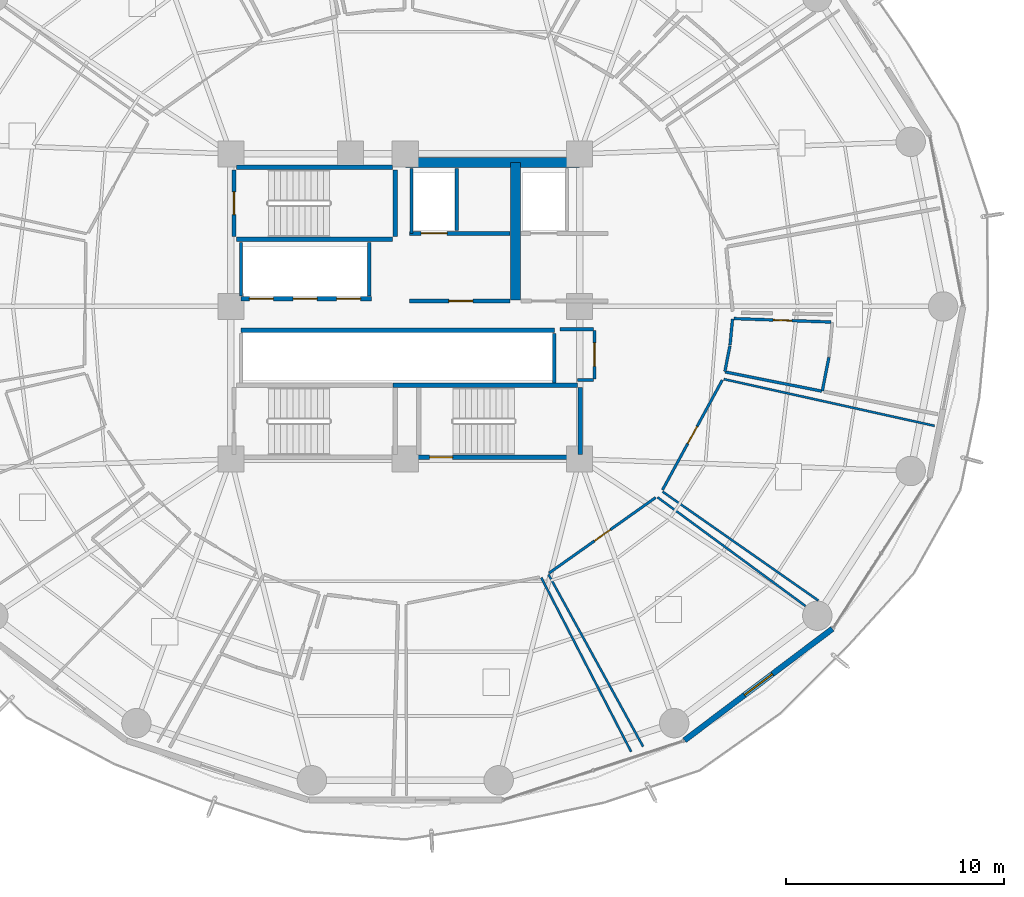
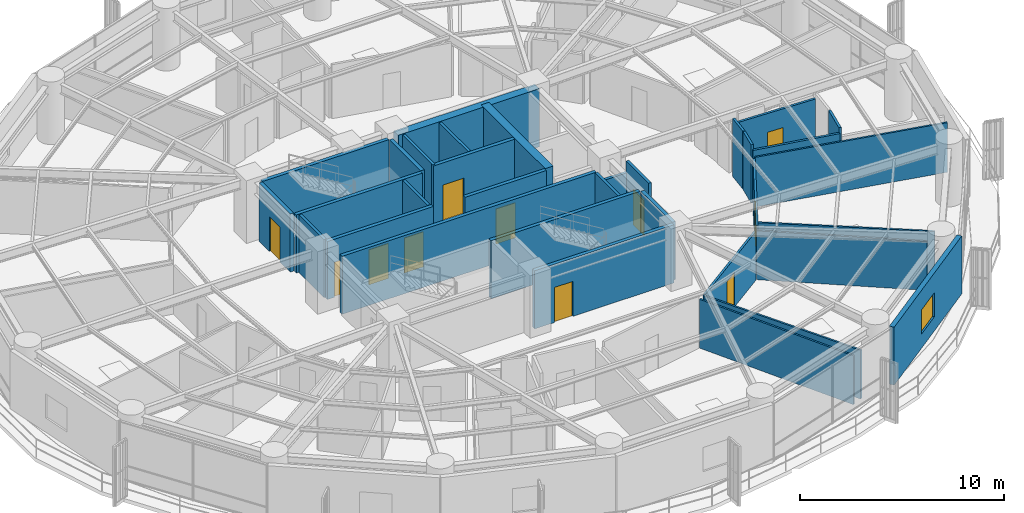
# One storey, part 30 of 35: 34 walls, 11 doors, 1 window, 12 openings.
"""IFC4 building model written with IfcOpenShell, lengths in metres."""

from ifc_helpers import new_model, si_unit, direction, frame, frame_2d, origin, place, context, subcontext, project, spatial, rectangle, extrude, material, layer, layer_set, type_object, element, fill, save


model = new_model("IFC4")

# Units and contexts
model_context = context("Model", 3, precision=1e-05, world=origin(), true_north=direction((0.0, 1.0)))
body_context = subcontext(model_context, "Body", "Model", "MODEL_VIEW")
ifc_project = project(units=[si_unit("LENGTHUNIT", "METRE"), si_unit("AREAUNIT", "SQUARE_METRE"), si_unit("VOLUMEUNIT", "CUBIC_METRE"), si_unit("PLANEANGLEUNIT", "RADIAN"), si_unit("MASSUNIT", "GRAM", prefix="KILO")], contexts=[model_context])

# Site, building, storey
site_placement = place(None, origin())
site = spatial("IfcSite", under=ifc_project, at=site_placement, CompositionType="ELEMENT")
building_placement = place(site_placement, origin())
building = spatial("IfcBuilding", under=site, at=building_placement, Name="Kelanora Arch Commons", CompositionType="ELEMENT")
storey_placement = place(building_placement, frame((0.0, 0.0, 117.60009765625)))
storey = spatial("IfcBuildingStorey", under=building, at=storey_placement, Name="L30", CompositionType="ELEMENT", Elevation=117.60009765625)

# Walls
ifc_material_1 = material(Name="Autoclaved aerated concrete blockwork with fire plaster", Category="masonry")
ifc_layer_1 = layer(ifc_material_1, 0.14990234375)
ifc_layer_set_1 = layer_set([ifc_layer_1], Name="Autoclaved aerated concrete blockwork with fire plaster")
wall_type_1 = type_object("IfcWallType", Name="W-COMP-150", PredefinedType="PARTITIONING", material=ifc_layer_set_1)
wall_1_placement = place(storey_placement, frame((74.280029296875, 61.35009765625, 0.0), z_axis=(0.0, 0.0, 1.0), x_axis=(0.0, 1.0, 0.0)))
element("IfcWall", 1, at=wall_1_placement, inside=storey, type_object=wall_type_1, Name="Firefighting Lift 1 West Shaft Wall L30", PredefinedType="PARTITIONING", context=body_context, shape_type="SweptSolid", body=[
    extrude(rectangle(XDim=2.969970703125, YDim=0.14990234375, at=frame_2d((1.48486328125, 0.0))), origin(), (0.0, 0.0, 1.0), 3.47998046875),
])
wall_2_placement = place(storey_placement, frame((76.360107421875, 61.47998046875, 0.0), z_axis=(0.0, 0.0, 1.0), x_axis=(0.0, 1.0, 0.0)))
element("IfcWall", 2, at=wall_2_placement, inside=storey, type_object=wall_type_1, Name="Firefighting Lift 1 East Shaft Wall L30", PredefinedType="PARTITIONING", context=body_context, shape_type="SweptSolid", body=[
    extrude(rectangle(XDim=2.840087890625, YDim=0.14990234375, at=frame_2d((1.419921875, 0.0))), origin(), (0.0, 0.0, 1.0), 3.47998046875),
])
for number, where, z_axis, x_axis, name in (
    (3, (66.4599609375, 58.47998046875, 0.0), (0.0, 0.0, 1.0), (0.0, 1.0, 0.0), "Low-Rise Lift Bank West Wall L30"),
    (4, (72.340087890625, 58.47998046875, 0.0), (0.0, 0.0, 1.0), (0.0, 1.0, 0.0), "Low-Rise Lift Bank East Wall L30"),
):
    element("IfcWall", number, at=place(storey_placement, frame(where, z_axis=z_axis, x_axis=x_axis)), inside=storey, type_object=wall_type_1, Name=name, PredefinedType="PARTITIONING", context=body_context, shape_type="SweptSolid", body=[
        extrude(rectangle(XDim=2.4599609375, YDim=0.14990234375, at=frame_2d((1.22998046875, 0.0))), origin(), (0.0, 0.0, 1.0), 3.47998046875),
    ])
wall_3_placement = place(storey_placement, frame((80.840087890625, 54.47998046875, 0.0), z_axis=(0.0, 0.0, 1.0), x_axis=(0.0, 1.0, 0.0)))
element("IfcWall", 5, at=wall_3_placement, inside=storey, type_object=wall_type_1, Name="South Lift Bank East Wall L30", PredefinedType="PARTITIONING", context=body_context, shape_type="SweptSolid", body=[
    extrude(rectangle(XDim=2.2900390625, YDim=0.14990234375, at=frame_2d((1.14501953125, 0.0))), origin(), (0.0, 0.0, 1.0), 3.47998046875),
])

# Wall, opening, door
wall_4_placement = place(storey_placement, frame((82.679931640625, 54.679931640625, 0.0), z_axis=(0.0, 0.0, 1.0), x_axis=(0.0, 1.0, 0.0)))
wall_4 = element("IfcWall", 6, at=wall_4_placement, inside=storey, type_object=wall_type_1, Name="Core Housekeeping Store L30 Entry Partition", PredefinedType="PARTITIONING", context=body_context, shape_type="SweptSolid", body=[
    extrude(rectangle(XDim=2.2099609375, YDim=0.14990234375, at=frame_2d((1.10498046875, 0.0))), origin(), (0.0, 0.0, 1.0), 3.47998046875),
])
opening_1_placement = place(wall_4_placement, frame((0.56494140625, 0.0, 0.0)))
opening_1 = element("IfcOpeningElement", 7, at=opening_1_placement, cuts=wall_4, Name="Opening D-PLT1", PredefinedType="OPENING", context=body_context, shape_type="SweptSolid", body=[
    extrude(rectangle(XDim=1.080078125, YDim=2.10009765625, at=frame_2d((0.5400390625, 1.050048828125))), frame((0.0, 0.0849609375, 0.0), z_axis=(0.0, -1.0, 0.0), x_axis=(1.0, 0.0, 0.0)), (0.0, 0.0, 1.0), 0.169921875),
])
ifc_material_2 = material(Name="Galvanised steel plant and riser fire door", Category="steel")
door_type_1 = type_object("IfcDoorType", Name="D-PLT-110", OperationType="NOTDEFINED", PredefinedType="DOOR", material=ifc_material_2)
door_1_placement = place(opening_1_placement, origin())
door_1 = element("IfcDoor", 8, at=door_1_placement, inside=storey, type_object=door_type_1, Name="Core Housekeeping Store L30 Door", OperationType="SINGLE_SWING_RIGHT", OverallHeight=2.10009765625, OverallWidth=1.080078125, PredefinedType="DOOR", context=body_context, shape_type="SweptSolid", body=[
    extrude(rectangle(XDim=1.080078125, YDim=2.10009765625, at=frame_2d((0.5400390625, 1.050048828125))), frame((0.0, 0.02490234375, 0.0), z_axis=(0.0, -1.0, 0.0), x_axis=(1.0, 0.0, 0.0)), (0.0, 0.0, 1.0), 0.050048828125),
])
fill(opening_1, door_1)

# Walls
wall_5_placement = place(storey_placement, frame((81.89990234375, 54.6201171875, 0.0), z_axis=(0.0, 0.0, 1.0), x_axis=(1.0, 0.0, 0.0)))
element("IfcWall", 9, at=wall_5_placement, inside=storey, type_object=wall_type_1, Name="Core Housekeeping Store L30 Enclosure Partition 1", PredefinedType="PARTITIONING", context=body_context, shape_type="SweptSolid", body=[
    extrude(rectangle(XDim=0.739990234375, YDim=0.14990234375, at=frame_2d((0.3701171875, 0.0))), origin(), (0.0, 0.0, 1.0), 2.77490234375),
])
wall_6_placement = place(storey_placement, frame((82.639892578125, 56.949951171875, 0.0), z_axis=(0.0, 0.0, 1.0), x_axis=(-1.0, 0.0, 0.0)))
element("IfcWall", 10, at=wall_6_placement, inside=storey, type_object=wall_type_1, Name="Core Housekeeping Store L30 Enclosure Partition 3", PredefinedType="PARTITIONING", context=body_context, shape_type="SweptSolid", body=[
    extrude(rectangle(XDim=1.5498046875, YDim=0.14990234375, at=frame_2d((0.77490234375, 0.0))), origin(), (0.0, 0.0, 1.0), 2.77490234375),
])
ifc_material_3 = material(Name="Concrete C60/75", Category="concrete")
ifc_layer_2 = layer(ifc_material_3, 0.449951171875)
ifc_layer_set_2 = layer_set([ifc_layer_2], Name="Concrete C60/75")
wall_type_2 = type_object("IfcWallType", Name="W-CORE-450", PredefinedType="SHEAR", material=ifc_layer_set_2)
wall_7_placement = place(storey_placement, frame((74.0, 64.60009765625, 0.0), z_axis=(0.0, 0.0, 1.0), x_axis=(1.0, 0.0, 0.0)))
element("IfcWall", 11, at=wall_7_placement, inside=storey, type_object=wall_type_2, Name="Core Shear Spine L30-CN-E", PredefinedType="SHEAR", context=body_context, shape_type="SweptSolid", body=[
    extrude(rectangle(XDim=8.0, YDim=0.449951171875, at=frame_2d((4.0, 0.0))), origin(), (0.0, 0.0, 1.0), 3.489990234375),
])
wall_8_placement = place(storey_placement, frame((79.050048828125, 58.300048828125, 0.0), z_axis=(0.0, 0.0, 1.0), x_axis=(0.0, 1.0, 0.0)))
element("IfcWall", 12, at=wall_8_placement, inside=storey, type_object=wall_type_2, Name="Core Shear Spine L30-CE-N", PredefinedType="SHEAR", context=body_context, shape_type="SweptSolid", body=[
    extrude(rectangle(XDim=6.300048828125, YDim=0.449951171875, at=frame_2d((3.14990234375, 0.0))), origin(), (0.0, 0.0, 1.0), 3.489990234375),
])

# Wall, opening, window
ifc_material_4 = material(Name="Precast concrete C40/50 with terracotta rainscreen", Category="masonry")
ifc_layer_3 = layer(ifc_material_4, 0.260009765625)
ifc_layer_set_3 = layer_set([ifc_layer_3], Name="Precast concrete C40/50 with terracotta rainscreen")
wall_type_3 = type_object("IfcWallType", Name="W-EXT-TC", PredefinedType="SOLIDWALL", material=ifc_layer_set_3)
wall_9_placement = place(storey_placement, frame((86.81201171875, 38.09033203125, 0.0), z_axis=(0.0, 0.0, 1.0), x_axis=(0.798501507879, 0.601992808857, 0.0)))
wall_9 = element("IfcWall", 13, at=wall_9_placement, inside=storey, type_object=wall_type_3, Name="Terracotta Exterior Wall L30-B15", PredefinedType="SOLIDWALL", context=body_context, shape_type="SweptSolid", body=[
    extrude(rectangle(XDim=8.499267578125, YDim=0.260009765625, at=frame_2d((4.24951171875, 0.0))), origin(), (0.0, 0.0, 1.0), 3.474853515625),
])
opening_2_placement = place(wall_9_placement, frame((3.449951171875, 0.0, 0.85009765625)))
opening_2 = element("IfcOpeningElement", 14, at=opening_2_placement, cuts=wall_9, Name="Opening WN-01", PredefinedType="OPENING", context=body_context, shape_type="SweptSolid", body=[
    extrude(rectangle(XDim=1.60009765625, YDim=1.449951171875, at=frame_2d((0.800048828125, 0.72509765625))), frame((0.0, 0.14013671875, 0.0), z_axis=(0.0, -1.0, 0.0), x_axis=(1.0, 0.0, 0.0)), (0.0, 0.0, 1.0), 0.280029296875),
])
ifc_material_5 = material(Name="Terracotta-anodised aluminium frame with operable low-E glazing", Category="masonry")
window_type = type_object("IfcWindowType", Name="WIN-CL-18", PartitioningType="DOUBLE_PANEL_VERTICAL", PredefinedType="WINDOW", material=ifc_material_5)
window_placement = place(opening_2_placement, origin())
window = element("IfcWindow", 15, at=window_placement, inside=storey, type_object=window_type, Name="Co-Living Operable Window L30-B15", OverallHeight=1.449951171875, OverallWidth=1.60009765625, PartitioningType="SINGLE_PANEL", PredefinedType="WINDOW", context=body_context, shape_type="SweptSolid", body=[
    extrude(rectangle(XDim=1.60009765625, YDim=1.449951171875, at=frame_2d((0.800048828125, 0.72509765625))), frame((0.0, 0.030029296875, 0.0), z_axis=(0.0, -1.0, 0.0), x_axis=(1.0, 0.0, 0.0)), (0.0, 0.0, 1.0), 0.06005859375),
])
fill(opening_2, window)

# Wall, opening, door
ifc_material_6 = material(Name="Concrete C40/50", Category="concrete")
ifc_layer_4 = layer(ifc_material_6, 0.199951171875)
ifc_layer_set_4 = layer_set([ifc_layer_4], Name="Concrete C40/50")
wall_type_4 = type_object("IfcWallType", Name="W-FFL-200", PredefinedType="SOLIDWALL", material=ifc_layer_set_4)
wall_10_placement = place(storey_placement, frame((74.199951171875, 61.35009765625, 0.0), z_axis=(0.0, 0.0, 1.0), x_axis=(1.0, 0.0, 0.0)))
wall_10 = element("IfcWall", 16, at=wall_10_placement, inside=storey, type_object=wall_type_4, Name="Firefighting Lift 1 Shaft Front L30", PredefinedType="SOLIDWALL", context=body_context, shape_type="SweptSolid", body=[
    extrude(rectangle(XDim=4.60009765625, YDim=0.199951171875, at=frame_2d((2.300048828125, 0.0))), origin(), (0.0, 0.0, 1.0), 3.47998046875),
])
opening_3_placement = place(wall_10_placement, frame((0.52001953125, 0.0, 0.0)))
opening_3 = element("IfcOpeningElement", 17, at=opening_3_placement, cuts=wall_10, Name="Opening LD-FF", PredefinedType="OPENING", context=body_context, shape_type="SweptSolid", body=[
    extrude(rectangle(XDim=1.199951171875, YDim=2.14990234375, at=frame_2d((0.60009765625, 1.074951171875))), frame((0.0, 0.10986328125, 0.0), z_axis=(0.0, -1.0, 0.0), x_axis=(1.0, 0.0, 0.0)), (0.0, 0.0, 1.0), 0.219970703125),
])
ifc_material_7 = material(Name="Fire-rated firefighters lift sliding landing door")
door_type_2 = type_object("IfcDoorType", Name="D-LIFT-FF", OperationType="NOTDEFINED", PredefinedType="DOOR", material=ifc_material_7)
door_2_placement = place(opening_3_placement, origin())
door_2 = element("IfcDoor", 18, at=door_2_placement, inside=storey, type_object=door_type_2, Name="Firefighting Lift LF-FF1 Landing Door L30", OperationType="DOUBLE_DOOR_SLIDING", OverallHeight=2.14990234375, OverallWidth=1.199951171875, PredefinedType="DOOR", context=body_context, shape_type="SweptSolid", body=[
    extrude(rectangle(XDim=1.199951171875, YDim=2.14990234375, at=frame_2d((0.60009765625, 1.074951171875))), frame((0.0, 0.02490234375, 0.0), z_axis=(0.0, -1.0, 0.0), x_axis=(1.0, 0.0, 0.0)), (0.0, 0.0, 1.0), 0.050048828125),
])
fill(opening_3, door_2)

wall_11_placement = place(storey_placement, frame((74.199951171875, 58.25, 0.0), z_axis=(0.0, 0.0, 1.0), x_axis=(1.0, 0.0, 0.0)))
wall_11 = element("IfcWall", 19, at=wall_11_placement, inside=storey, type_object=wall_type_4, Name="Firefighting Lobby 1 Enclosure Wall L30", PredefinedType="SOLIDWALL", context=body_context, shape_type="SweptSolid", body=[
    extrude(rectangle(XDim=4.60009765625, YDim=0.199951171875, at=frame_2d((2.300048828125, 0.0))), origin(), (0.0, 0.0, 1.0), 3.47998046875),
])
opening_4_placement = place(wall_11_placement, frame((1.800048828125, 0.0, 0.0)))
opening_4 = element("IfcOpeningElement", 20, at=opening_4_placement, cuts=wall_11, Name="Opening D-FFL1", PredefinedType="OPENING", context=body_context, shape_type="SweptSolid", body=[
    extrude(rectangle(XDim=1.10009765625, YDim=2.10009765625, at=frame_2d((0.550048828125, 1.050048828125))), frame((0.0, 0.10986328125, 0.0), z_axis=(0.0, -1.0, 0.0), x_axis=(1.0, 0.0, 0.0)), (0.0, 0.0, 1.0), 0.219970703125),
])
ifc_material_8 = material(Name="Smoke-sealed firefighting lobby fire door")
door_type_3 = type_object("IfcDoorType", Name="D-FFL-110", OperationType="NOTDEFINED", PredefinedType="DOOR", material=ifc_material_8)
door_3_placement = place(opening_4_placement, frame((1.10009765625, 0.0, 0.0), z_axis=(0.0, 0.0, 1.0), x_axis=(-1.0, 0.0, 0.0)))
door_3 = element("IfcDoor", 21, at=door_3_placement, inside=storey, type_object=door_type_3, Name="Firefighting Lobby 1 Door L30", OperationType="SINGLE_SWING_LEFT", OverallHeight=2.10009765625, OverallWidth=1.10009765625, PredefinedType="DOOR", context=body_context, shape_type="SweptSolid", body=[
    extrude(rectangle(XDim=1.10009765625, YDim=2.10009765625, at=frame_2d((0.550048828125, 1.050048828125))), frame((0.0, 0.02490234375, 0.0), z_axis=(0.0, -1.0, 0.0), x_axis=(1.0, 0.0, 0.0)), (0.0, 0.0, 1.0), 0.050048828125),
])
fill(opening_4, door_3)

# Wall, openings, doors
wall_12_placement = place(storey_placement, frame((66.449951171875, 58.35009765625, 0.0), z_axis=(0.0, 0.0, 1.0), x_axis=(1.0, 0.0, 0.0)))
wall_12 = element("IfcWall", 22, at=wall_12_placement, inside=storey, type_object=wall_type_4, Name="Low-Rise Passenger Lift Shaft Front L30", PredefinedType="SOLIDWALL", context=body_context, shape_type="SweptSolid", body=[
    extrude(rectangle(XDim=6.0, YDim=0.199951171875, at=frame_2d((3.0, 0.0))), origin(), (0.0, 0.0, 1.0), 3.47998046875),
])
opening_5_placement = place(wall_12_placement, frame((0.39990234375, 0.0, 0.0)))
opening_5 = element("IfcOpeningElement", 23, at=opening_5_placement, cuts=wall_12, Name="Opening LD-01", PredefinedType="OPENING", context=body_context, shape_type="SweptSolid", body=[
    extrude(rectangle(XDim=1.10009765625, YDim=2.10009765625, at=frame_2d((0.550048828125, 1.050048828125))), frame((0.0, 0.10986328125, 0.0), z_axis=(0.0, -1.0, 0.0), x_axis=(1.0, 0.0, 0.0)), (0.0, 0.0, 1.0), 0.219970703125),
])
opening_6_placement = place(wall_12_placement, frame((2.39990234375, 0.0, 0.0)))
opening_6 = element("IfcOpeningElement", 24, at=opening_6_placement, cuts=wall_12, Name="Opening LD-01", PredefinedType="OPENING", context=body_context, shape_type="SweptSolid", body=[
    extrude(rectangle(XDim=1.10009765625, YDim=2.10009765625, at=frame_2d((0.550048828125, 1.050048828125))), frame((0.0, 0.10986328125, 0.0), z_axis=(0.0, -1.0, 0.0), x_axis=(1.0, 0.0, 0.0)), (0.0, 0.0, 1.0), 0.219970703125),
])
opening_7_placement = place(wall_12_placement, frame((4.39990234375, 0.0, 0.0)))
opening_7 = element("IfcOpeningElement", 25, at=opening_7_placement, cuts=wall_12, Name="Opening LD-01", PredefinedType="OPENING", context=body_context, shape_type="SweptSolid", body=[
    extrude(rectangle(XDim=1.10009765625, YDim=2.10009765625, at=frame_2d((0.550048828125, 1.050048828125))), frame((0.0, 0.10986328125, 0.0), z_axis=(0.0, -1.0, 0.0), x_axis=(1.0, 0.0, 0.0)), (0.0, 0.0, 1.0), 0.219970703125),
])
ifc_material_9 = material(Name="Stainless steel passenger lift sliding landing door", Category="steel")
door_type_4 = type_object("IfcDoorType", Name="D-LIFT-110", OperationType="NOTDEFINED", PredefinedType="DOOR", material=ifc_material_9)
door_4_placement = place(opening_5_placement, origin())
door_4 = element("IfcDoor", 26, at=door_4_placement, inside=storey, type_object=door_type_4, Name="Passenger Lift LF-P1 Landing Door L30", OperationType="DOUBLE_DOOR_SLIDING", OverallHeight=2.10009765625, OverallWidth=1.10009765625, PredefinedType="DOOR", context=body_context, shape_type="SweptSolid", body=[
    extrude(rectangle(XDim=1.10009765625, YDim=2.10009765625, at=frame_2d((0.550048828125, 1.050048828125))), frame((0.0, 0.02490234375, 0.0), z_axis=(0.0, -1.0, 0.0), x_axis=(1.0, 0.0, 0.0)), (0.0, 0.0, 1.0), 0.050048828125),
])
fill(opening_5, door_4)
door_5_placement = place(opening_6_placement, origin())
door_5 = element("IfcDoor", 27, at=door_5_placement, inside=storey, type_object=door_type_4, Name="Passenger Lift LF-P2 Landing Door L30", OperationType="DOUBLE_DOOR_SLIDING", OverallHeight=2.10009765625, OverallWidth=1.10009765625, PredefinedType="DOOR", context=body_context, shape_type="SweptSolid", body=[
    extrude(rectangle(XDim=1.10009765625, YDim=2.10009765625, at=frame_2d((0.550048828125, 1.050048828125))), frame((0.0, 0.02490234375, 0.0), z_axis=(0.0, -1.0, 0.0), x_axis=(1.0, 0.0, 0.0)), (0.0, 0.0, 1.0), 0.050048828125),
])
fill(opening_6, door_5)
door_6_placement = place(opening_7_placement, origin())
door_6 = element("IfcDoor", 28, at=door_6_placement, inside=storey, type_object=door_type_4, Name="Passenger Lift LF-P3 Landing Door L30", OperationType="DOUBLE_DOOR_SLIDING", OverallHeight=2.10009765625, OverallWidth=1.10009765625, PredefinedType="DOOR", context=body_context, shape_type="SweptSolid", body=[
    extrude(rectangle(XDim=1.10009765625, YDim=2.10009765625, at=frame_2d((0.550048828125, 1.050048828125))), frame((0.0, 0.02490234375, 0.0), z_axis=(0.0, -1.0, 0.0), x_axis=(1.0, 0.0, 0.0)), (0.0, 0.0, 1.0), 0.050048828125),
])
fill(opening_7, door_6)

# Walls
wall_13_placement = place(storey_placement, frame((66.449951171875, 56.89990234375, 0.0), z_axis=(0.0, 0.0, 1.0), x_axis=(1.0, 0.0, 0.0)))
element("IfcWall", 29, at=wall_13_placement, inside=storey, type_object=wall_type_4, Name="Mid/High/Express Lift Shaft Front L30", PredefinedType="SOLIDWALL", context=body_context, shape_type="SweptSolid", body=[
    extrude(rectangle(XDim=14.400146484375, YDim=0.199951171875, at=frame_2d((7.2001953125, 0.0))), origin(), (0.0, 0.0, 1.0), 3.47998046875),
])
ifc_material_10 = material(Name="Lightweight fire-rated acoustic stud partition")
ifc_layer_5 = layer(ifc_material_10, 0.10009765625)
ifc_layer_set_5 = layer_set([ifc_layer_5], Name="Lightweight fire-rated acoustic stud partition")
wall_type_5 = type_object("IfcWallType", Name="W-PART-100", PredefinedType="PARTITIONING", material=ifc_layer_set_5)
wall_14_placement = place(storey_placement, frame((80.2373046875, 45.556396484375, 0.0), z_axis=(0.0, 0.0, 1.0), x_axis=(0.458694817529, -0.888593869196, 0.0)))
element("IfcWall", 30, at=wall_14_placement, inside=storey, type_object=wall_type_5, Name="Social Sky Lounge L30-10 Enclosure Partition 2", PredefinedType="PARTITIONING", context=body_context, shape_type="SweptSolid", body=[
    extrude(rectangle(XDim=8.987060546875, YDim=0.10009765625, at=frame_2d((4.49365234375, 0.0))), origin(), (0.0, 0.0, 1.0), 2.9248046875),
])
wall_15_placement = place(storey_placement, frame((85.572265625, 49.243408203125, 0.0), z_axis=(0.0, 0.0, 1.0), x_axis=(0.805852200235, -0.592116737963, 0.0)))
element("IfcWall", 31, at=wall_15_placement, inside=storey, type_object=wall_type_5, Name="Quiet Seminar Study Room L30-11 Enclosure Partition 2", PredefinedType="PARTITIONING", context=body_context, shape_type="SweptSolid", body=[
    extrude(rectangle(XDim=8.429931640625, YDim=0.10009765625, at=frame_2d((4.21484375, 0.0))), origin(), (0.0, 0.0, 1.0), 2.9248046875),
])
wall_16_placement = place(storey_placement, frame((84.91259765625, 37.802978515625, 0.0), z_axis=(0.0, 0.0, 1.0), x_axis=(-0.481837612944, 0.876260529039, 0.0)))
element("IfcWall", 32, at=wall_16_placement, inside=storey, type_object=wall_type_5, Name="Quiet Seminar Study Room L30-11 Enclosure Partition 4", PredefinedType="PARTITIONING", context=body_context, shape_type="SweptSolid", body=[
    extrude(rectangle(XDim=9.010009765625, YDim=0.10009765625, at=frame_2d((4.5048828125, 0.0))), origin(), (0.0, 0.0, 1.0), 2.9248046875),
])
wall_17_placement = place(storey_placement, frame((88.614013671875, 54.664306640625, 0.0), z_axis=(0.0, 0.0, 1.0), x_axis=(0.976312199438, -0.216366562178, 0.0)))
element("IfcWall", 33, at=wall_17_placement, inside=storey, type_object=wall_type_5, Name="Quiet Seminar Study Room L30-12 Enclosure Partition 2", PredefinedType="PARTITIONING", context=body_context, shape_type="SweptSolid", body=[
    extrude(rectangle(XDim=9.902587890625, YDim=0.10009765625, at=frame_2d((4.951171875, 0.0))), origin(), (0.0, 0.0, 1.0), 2.974853515625),
])
wall_18_placement = place(storey_placement, frame((92.95263671875, 44.505615234375, 0.0), z_axis=(0.0, 0.0, 1.0), x_axis=(-0.8195552972, 0.573000100201, 0.0)))
element("IfcWall", 34, at=wall_18_placement, inside=storey, type_object=wall_type_5, Name="Quiet Seminar Study Room L30-12 Enclosure Partition 4", PredefinedType="PARTITIONING", context=body_context, shape_type="SweptSolid", body=[
    extrude(rectangle(XDim=8.7216796875, YDim=0.10009765625, at=frame_2d((4.36083984375, 0.0))), origin(), (0.0, 0.0, 1.0), 3.1748046875),
])

# Wall, opening, door
ifc_material_11 = material(Name="Acoustic twin-stud fire-rated gypsum partition")
ifc_layer_6 = layer(ifc_material_11, 0.1201171875)
ifc_layer_set_6 = layer_set([ifc_layer_6], Name="Acoustic twin-stud fire-rated gypsum partition")
wall_type_6 = type_object("IfcWallType", Name="W-PART-120", PredefinedType="PARTITIONING", material=ifc_layer_set_6)
wall_19_placement = place(storey_placement, frame((80.60107421875, 45.767578125, 0.0), z_axis=(0.0, 0.0, 1.0), x_axis=(0.815932399176, 0.578147316846, 0.0)))
wall_19 = element("IfcWall", 35, at=wall_19_placement, inside=storey, type_object=wall_type_6, Name="Quiet Seminar Study Room L30-11 Entry Partition", PredefinedType="PARTITIONING", context=body_context, shape_type="SweptSolid", body=[
    extrude(rectangle(XDim=5.992919921875, YDim=0.1201171875, at=frame_2d((2.99658203125, 0.0))), origin(), (0.0, 0.0, 1.0), 2.9248046875),
])
opening_8_placement = place(wall_19_placement, frame((2.5458984375, 0.0, 0.0)))
opening_8 = element("IfcOpeningElement", 36, at=opening_8_placement, cuts=wall_19, Name="Opening D-RM1", PredefinedType="OPENING", context=body_context, shape_type="SweptSolid", body=[
    extrude(rectangle(XDim=0.89990234375, YDim=2.080078125, at=frame_2d((0.449951171875, 1.0400390625))), frame((0.0, 0.070068359375, 0.0), z_axis=(0.0, -1.0, 0.0), x_axis=(1.0, 0.0, 0.0)), (0.0, 0.0, 1.0), 0.14013671875),
])
ifc_material_12 = material(Name="Acoustic fire-rated timber study and lounge door", Category="wood")
door_type_5 = type_object("IfcDoorType", Name="D-ROOM-90", OperationType="NOTDEFINED", PredefinedType="DOOR", material=ifc_material_12)
door_7_placement = place(opening_8_placement, origin())
door_7 = element("IfcDoor", 37, at=door_7_placement, inside=storey, type_object=door_type_5, Name="Quiet Seminar Study Room L30-11 Door", OperationType="SINGLE_SWING_RIGHT", OverallHeight=2.080078125, OverallWidth=0.89990234375, PredefinedType="DOOR", context=body_context, shape_type="SweptSolid", body=[
    extrude(rectangle(XDim=0.89990234375, YDim=2.080078125, at=frame_2d((0.449951171875, 1.0400390625))), frame((0.0, 0.02490234375, 0.0), z_axis=(0.0, -1.0, 0.0), x_axis=(1.0, 0.0, 0.0)), (0.0, 0.0, 1.0), 0.050048828125),
])
fill(opening_8, door_7)

wall_20_placement = place(storey_placement, frame((85.80078125, 49.57861328125, 0.0), z_axis=(0.0, 0.0, 1.0), x_axis=(0.478256103777, 0.878220416069, 0.0)))
wall_20 = element("IfcWall", 38, at=wall_20_placement, inside=storey, type_object=wall_type_6, Name="Quiet Seminar Study Room L30-12 Entry Partition", PredefinedType="PARTITIONING", context=body_context, shape_type="SweptSolid", body=[
    extrude(rectangle(XDim=5.740966796875, YDim=0.1201171875, at=frame_2d((2.87060546875, 0.0))), origin(), (0.0, 0.0, 1.0), 2.9248046875),
])
opening_9_placement = place(wall_20_placement, frame((2.419921875, 0.0, 0.0)))
opening_9 = element("IfcOpeningElement", 39, at=opening_9_placement, cuts=wall_20, Name="Opening D-RM1", PredefinedType="OPENING", context=body_context, shape_type="SweptSolid", body=[
    extrude(rectangle(XDim=0.89990234375, YDim=2.080078125, at=frame_2d((0.449951171875, 1.0400390625))), frame((0.0, 0.070068359375, 0.0), z_axis=(0.0, -1.0, 0.0), x_axis=(1.0, 0.0, 0.0)), (0.0, 0.0, 1.0), 0.14013671875),
])
door_8_placement = place(opening_9_placement, origin())
door_8 = element("IfcDoor", 40, at=door_8_placement, inside=storey, type_object=door_type_5, Name="Quiet Seminar Study Room L30-12 Door", OperationType="SINGLE_SWING_LEFT", OverallHeight=2.080078125, OverallWidth=0.89990234375, PredefinedType="DOOR", context=body_context, shape_type="SweptSolid", body=[
    extrude(rectangle(XDim=0.89990234375, YDim=2.080078125, at=frame_2d((0.449951171875, 1.0400390625))), frame((0.0, 0.02490234375, 0.0), z_axis=(0.0, -1.0, 0.0), x_axis=(1.0, 0.0, 0.0)), (0.0, 0.0, 1.0), 0.050048828125),
])
fill(opening_9, door_8)

# Walls
ifc_layer_7 = layer(ifc_material_6, 0.199951171875)
ifc_layer_set_7 = layer_set([ifc_layer_7], Name="Concrete C40/50")
wall_type_7 = type_object("IfcWallType", Name="W-STAIR-200", PredefinedType="SHEAR", material=ifc_layer_set_7)
wall_21_placement = place(storey_placement, frame((66.260009765625, 61.080078125, 0.0), z_axis=(0.0, 0.0, 1.0), x_axis=(1.0, 0.0, 0.0)))
element("IfcWall", 41, at=wall_21_placement, inside=storey, type_object=wall_type_7, Name="Stair ST-T1 Shaft Wall S L30", PredefinedType="SHEAR", context=body_context, shape_type="SweptSolid", body=[
    extrude(rectangle(XDim=7.159912109375, YDim=0.199951171875, at=frame_2d((3.580078125, 0.0))), origin(), (0.0, 0.0, 1.0), 3.489990234375),
])
wall_22_placement = place(storey_placement, frame((73.5400390625, 61.199951171875, 0.0), z_axis=(0.0, 0.0, 1.0), x_axis=(0.0, 1.0, 0.0)))
element("IfcWall", 42, at=wall_22_placement, inside=storey, type_object=wall_type_7, Name="Stair ST-T1 Shaft Wall E L30", PredefinedType="SHEAR", context=body_context, shape_type="SweptSolid", body=[
    extrude(rectangle(XDim=3.070068359375, YDim=0.199951171875, at=frame_2d((1.53515625, 0.0))), origin(), (0.0, 0.0, 1.0), 3.489990234375),
])
wall_23_placement = place(storey_placement, frame((73.419921875, 64.389892578125, 0.0), z_axis=(0.0, 0.0, 1.0), x_axis=(-1.0, 0.0, 0.0)))
element("IfcWall", 43, at=wall_23_placement, inside=storey, type_object=wall_type_7, Name="Stair ST-T1 Shaft Wall N L30", PredefinedType="SHEAR", context=body_context, shape_type="SweptSolid", body=[
    extrude(rectangle(XDim=7.159912109375, YDim=0.199951171875, at=frame_2d((3.580078125, 0.0))), origin(), (0.0, 0.0, 1.0), 3.489990234375),
])

# Wall, opening, door
wall_24_placement = place(storey_placement, frame((66.139892578125, 64.27001953125, 0.0), z_axis=(0.0, 0.0, 1.0), x_axis=(0.0, -1.0, 0.0)))
wall_24 = element("IfcWall", 44, at=wall_24_placement, inside=storey, type_object=wall_type_7, Name="Stair ST-T1 Shaft Wall W L30", PredefinedType="SHEAR", context=body_context, shape_type="SweptSolid", body=[
    extrude(rectangle(XDim=3.070068359375, YDim=0.199951171875, at=frame_2d((1.53515625, 0.0))), origin(), (0.0, 0.0, 1.0), 3.489990234375),
])
opening_10_placement = place(wall_24_placement, frame((1.010009765625, 0.0, 0.0)))
opening_10 = element("IfcOpeningElement", 45, at=opening_10_placement, cuts=wall_24, Name="Opening D-ST1", PredefinedType="OPENING", context=body_context, shape_type="SweptSolid", body=[
    extrude(rectangle(XDim=1.050048828125, YDim=2.10009765625, at=frame_2d((0.52490234375, 1.050048828125))), frame((0.0, 0.10986328125, 0.0), z_axis=(0.0, -1.0, 0.0), x_axis=(1.0, 0.0, 0.0)), (0.0, 0.0, 1.0), 0.219970703125),
])
ifc_material_13 = material(Name="Steel fire-rated stairwell escape door", Category="steel")
door_type_6 = type_object("IfcDoorType", Name="D-STAIR-110", OperationType="NOTDEFINED", PredefinedType="DOOR", material=ifc_material_13)
door_9_placement = place(opening_10_placement, origin())
door_9 = element("IfcDoor", 46, at=door_9_placement, inside=storey, type_object=door_type_6, Name="Stair ST-T1 Escape Door L30", OperationType="SINGLE_SWING_LEFT", OverallHeight=2.10009765625, OverallWidth=1.050048828125, PredefinedType="DOOR", context=body_context, shape_type="SweptSolid", body=[
    extrude(rectangle(XDim=1.050048828125, YDim=2.10009765625, at=frame_2d((0.52490234375, 1.050048828125))), frame((0.0, 0.02490234375, 0.0), z_axis=(0.0, -1.0, 0.0), x_axis=(1.0, 0.0, 0.0)), (0.0, 0.0, 1.0), 0.050048828125),
])
fill(opening_10, door_9)

wall_25_placement = place(storey_placement, frame((74.0, 51.080078125, 0.0), z_axis=(0.0, 0.0, 1.0), x_axis=(1.0, 0.0, 0.0)))
wall_25 = element("IfcWall", 47, at=wall_25_placement, inside=storey, type_object=wall_type_7, Name="Stair ST-T2 Shaft Wall S L30", PredefinedType="SHEAR", context=body_context, shape_type="SweptSolid", body=[
    extrude(rectangle(XDim=7.89990234375, YDim=0.199951171875, at=frame_2d((3.949951171875, 0.0))), origin(), (0.0, 0.0, 1.0), 3.489990234375),
])
opening_11_placement = place(wall_25_placement, frame((1.1201171875, 0.0, 0.0)))
opening_11 = element("IfcOpeningElement", 48, at=opening_11_placement, cuts=wall_25, Name="Opening D-ST1", PredefinedType="OPENING", context=body_context, shape_type="SweptSolid", body=[
    extrude(rectangle(XDim=1.050048828125, YDim=2.10009765625, at=frame_2d((0.52490234375, 1.050048828125))), frame((0.0, 0.10986328125, 0.0), z_axis=(0.0, -1.0, 0.0), x_axis=(1.0, 0.0, 0.0)), (0.0, 0.0, 1.0), 0.219970703125),
])
door_10_placement = place(opening_11_placement, origin())
door_10 = element("IfcDoor", 49, at=door_10_placement, inside=storey, type_object=door_type_6, Name="Stair ST-T2 Escape Door L30", OperationType="SINGLE_SWING_LEFT", OverallHeight=2.10009765625, OverallWidth=1.050048828125, PredefinedType="DOOR", context=body_context, shape_type="SweptSolid", body=[
    extrude(rectangle(XDim=1.050048828125, YDim=2.10009765625, at=frame_2d((0.52490234375, 1.050048828125))), frame((0.0, 0.02490234375, 0.0), z_axis=(0.0, -1.0, 0.0), x_axis=(1.0, 0.0, 0.0)), (0.0, 0.0, 1.0), 0.050048828125),
])
fill(opening_11, door_10)

# Walls
wall_26_placement = place(storey_placement, frame((82.02001953125, 51.199951171875, 0.0), z_axis=(0.0, 0.0, 1.0), x_axis=(0.0, 1.0, 0.0)))
element("IfcWall", 50, at=wall_26_placement, inside=storey, type_object=wall_type_7, Name="Stair ST-T2 Shaft Wall E L30", PredefinedType="SHEAR", context=body_context, shape_type="SweptSolid", body=[
    extrude(rectangle(XDim=3.070068359375, YDim=0.199951171875, at=frame_2d((1.53515625, 0.0))), origin(), (0.0, 0.0, 1.0), 3.489990234375),
])
wall_27_placement = place(storey_placement, frame((81.89990234375, 54.389892578125, 0.0), z_axis=(0.0, 0.0, 1.0), x_axis=(-1.0, 0.0, 0.0)))
element("IfcWall", 51, at=wall_27_placement, inside=storey, type_object=wall_type_7, Name="Stair ST-T2 Shaft Wall N L30", PredefinedType="SHEAR", context=body_context, shape_type="SweptSolid", body=[
    extrude(rectangle(XDim=8.4599609375, YDim=0.199951171875, at=frame_2d((4.22998046875, 0.0))), origin(), (0.0, 0.0, 1.0), 3.489990234375),
])

# Wall, opening, door
ifc_material_14 = material(Name="Moisture-resistant fire-rated cement-board plumbing wall")
ifc_layer_8 = layer(ifc_material_14, 0.1298828125)
ifc_layer_set_8 = layer_set([ifc_layer_8], Name="Moisture-resistant fire-rated cement-board plumbing wall")
wall_type_8 = type_object("IfcWallType", Name="W-WET-120", PredefinedType="PLUMBINGWALL", material=ifc_layer_set_8)
wall_28_placement = place(storey_placement, frame((89.077880859375, 57.44384765625, 0.0), z_axis=(0.0, 0.0, 1.0), x_axis=(0.999359574241, -0.035783255492, 0.0)))
wall_28 = element("IfcWall", 52, at=wall_28_placement, inside=storey, type_object=wall_type_8, Name="En-Suite Shower WC L30-13 Entry Partition", PredefinedType="PLUMBINGWALL", context=body_context, shape_type="SweptSolid", body=[
    extrude(rectangle(XDim=4.462158203125, YDim=0.1298828125, at=frame_2d((2.23095703125, 0.0))), origin(), (0.0, 0.0, 1.0), 3.1748046875),
])
opening_12_placement = place(wall_28_placement, frame((1.801025390625, 0.0, 0.0)))
opening_12 = element("IfcOpeningElement", 53, at=opening_12_placement, cuts=wall_28, Name="Opening D-BT1", PredefinedType="OPENING", context=body_context, shape_type="SweptSolid", body=[
    extrude(rectangle(XDim=0.860107421875, YDim=2.050048828125, at=frame_2d((0.43017578125, 1.02490234375))), frame((0.0, 0.074951171875, 0.0), z_axis=(0.0, -1.0, 0.0), x_axis=(1.0, 0.0, 0.0)), (0.0, 0.0, 1.0), 0.14990234375),
])
ifc_material_15 = material(Name="Moisture-sealed fire-rated accessible bathroom door")
door_type_7 = type_object("IfcDoorType", Name="D-BATH-85", OperationType="NOTDEFINED", PredefinedType="DOOR", material=ifc_material_15)
door_11_placement = place(opening_12_placement, origin())
door_11 = element("IfcDoor", 54, at=door_11_placement, inside=storey, type_object=door_type_7, Name="En-Suite Shower WC L30-13 Door", OperationType="SINGLE_SWING_RIGHT", OverallHeight=2.050048828125, OverallWidth=0.860107421875, PredefinedType="DOOR", context=body_context, shape_type="SweptSolid", body=[
    extrude(rectangle(XDim=0.860107421875, YDim=2.050048828125, at=frame_2d((0.43017578125, 1.02490234375))), frame((0.0, 0.02490234375, 0.0), z_axis=(0.0, -1.0, 0.0), x_axis=(1.0, 0.0, 0.0)), (0.0, 0.0, 1.0), 0.050048828125),
])
fill(opening_12, door_11)

# Walls
wall_29_placement = place(storey_placement, frame((88.664794921875, 55.0166015625, 0.0), z_axis=(0.0, 0.0, 1.0), x_axis=(0.192633384292, 0.981270798127, 0.0)))
element("IfcWall", 55, at=wall_29_placement, inside=storey, type_object=wall_type_8, Name="En-Suite Shower WC L30-13 Enclosure Partition 1", PredefinedType="PLUMBINGWALL", context=body_context, shape_type="SweptSolid", body=[
    extrude(rectangle(XDim=1.2001953125, YDim=0.1298828125, at=frame_2d((0.60009765625, 0.0))), origin(), (0.0, 0.0, 1.0), 3.47998046875),
])
wall_30_placement = place(storey_placement, frame((88.90185546875, 56.23388671875, 0.0), z_axis=(0.0, 0.0, 1.0), x_axis=(0.095405531976, 0.995438488541, 0.0)))
element("IfcWall", 56, at=wall_30_placement, inside=storey, type_object=wall_type_8, Name="En-Suite Shower WC L30-13 Enclosure Partition 2", PredefinedType="PLUMBINGWALL", context=body_context, shape_type="SweptSolid", body=[
    extrude(rectangle(XDim=1.197509765625, YDim=0.1298828125, at=frame_2d((0.5986328125, 0.0))), origin(), (0.0, 0.0, 1.0), 3.47998046875),
])
wall_31_placement = place(storey_placement, frame((93.440185546875, 55.66650390625, 0.0), z_axis=(0.0, 0.0, 1.0), x_axis=(-0.194648564843, -0.980873047955, 0.0)))
element("IfcWall", 57, at=wall_31_placement, inside=storey, type_object=wall_type_8, Name="En-Suite Shower WC L30-13 Enclosure Partition 5", PredefinedType="PLUMBINGWALL", context=body_context, shape_type="SweptSolid", body=[
    extrude(rectangle(XDim=1.56787109375, YDim=0.1298828125, at=frame_2d((0.783935546875, 0.0))), origin(), (0.0, 0.0, 1.0), 3.47998046875),
])
wall_32_placement = place(storey_placement, frame((93.111328125, 54.11279296875, 0.0), z_axis=(0.0, 0.0, 1.0), x_axis=(-0.980825194025, 0.194889555304, 0.0)))
element("IfcWall", 58, at=wall_32_placement, inside=storey, type_object=wall_type_8, Name="En-Suite Shower WC L30-13 Enclosure Partition 6", PredefinedType="PLUMBINGWALL", context=body_context, shape_type="SweptSolid", body=[
    extrude(rectangle(XDim=4.517333984375, YDim=0.1298828125, at=frame_2d((2.2587890625, 0.0))), origin(), (0.0, 0.0, 1.0), 3.1748046875),
])

save(model, "model.ifc")
